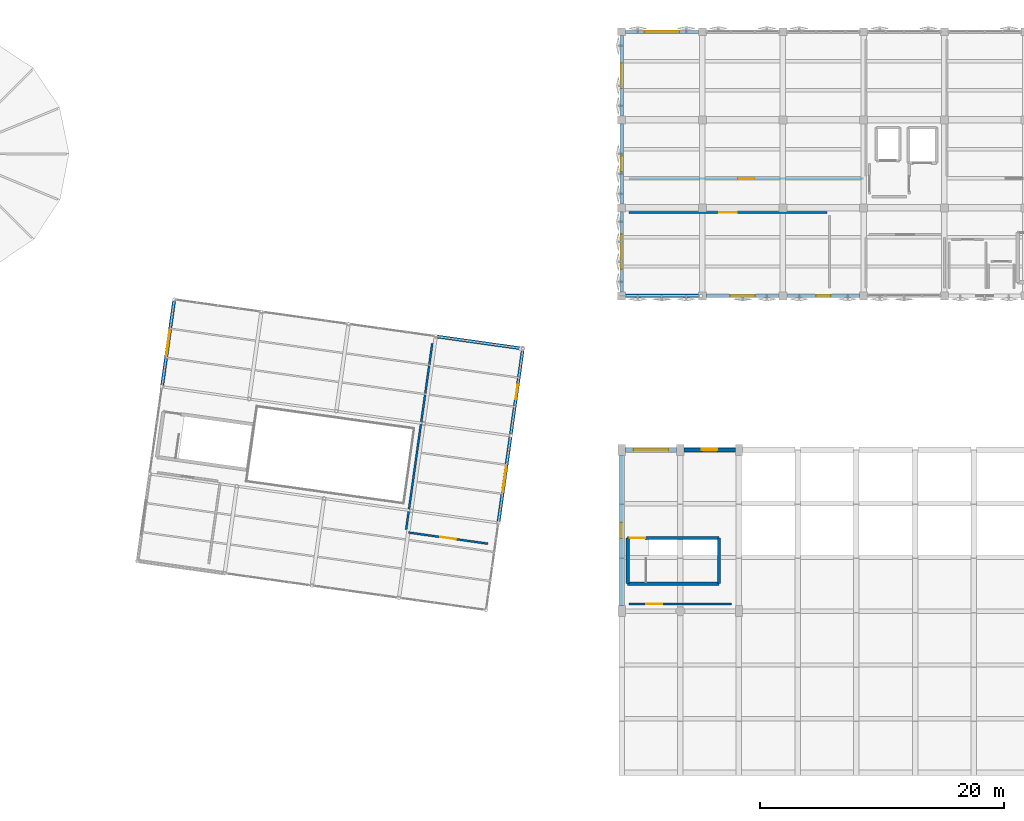
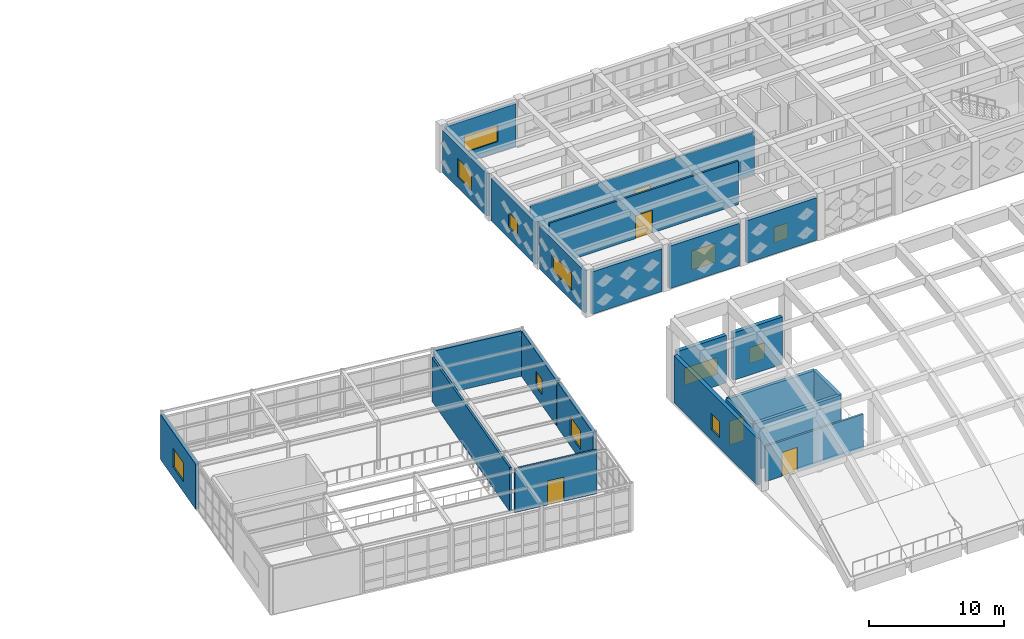
# One storey, part 58 of 67: 23 walls, 12 windows, 5 doors, 17 openings.
"""IFC4 building model written with IfcOpenShell, lengths in metres."""

from ifc_helpers import new_model, si_unit, direction, frame, frame_2d, origin, place, context, subcontext, project, spatial, rectangle, extrude, material, layer, layer_set, type_object, element, fill, save


model = new_model("IFC4")

# Units and contexts
model_context = context("Model", 3, precision=1e-05, world=origin(), true_north=direction((0.0, 1.0)))
body_context = subcontext(model_context, "Body", "Model", "MODEL_VIEW")
ifc_project = project(units=[si_unit("LENGTHUNIT", "METRE"), si_unit("AREAUNIT", "SQUARE_METRE"), si_unit("VOLUMEUNIT", "CUBIC_METRE"), si_unit("PLANEANGLEUNIT", "RADIAN"), si_unit("MASSUNIT", "GRAM", prefix="KILO")], contexts=[model_context])

# Site, building, storey
site_placement = place(None, origin())
site = spatial("IfcSite", under=ifc_project, at=site_placement, CompositionType="ELEMENT")
building_placement = place(site_placement, origin())
building = spatial("IfcBuilding", under=site, at=building_placement, Name="Kharisveld Research Institute", CompositionType="ELEMENT")
storey_placement = place(building_placement, frame((0.0, 0.0, 9.60009765625)))
storey = spatial("IfcBuildingStorey", under=building, at=storey_placement, Name="L02", CompositionType="ELEMENT", Elevation=9.60009765625)

# Wall
ifc_material_1 = material(Name="Concrete C40/50", Category="concrete")
ifc_layer_1 = layer(ifc_material_1, 0.27001953125)
ifc_layer_set_1 = layer_set([ifc_layer_1], Name="WL_CORE_270")
wall_type_1 = type_object("IfcWallType", Name="WL_CORE_270", PredefinedType="SHEAR", material=ifc_layer_set_1)
wall_1_placement = place(storey_placement, frame((115.10009765625, 15.64990234375, 0.0), z_axis=(0.0, 0.0, 1.0), x_axis=(0.0, 1.0, 0.0)))
element("IfcWall", 1, at=wall_1_placement, inside=storey, type_object=wall_type_1, Name="WL:STR:ST6:L02:W", PredefinedType="SHEAR", context=body_context, shape_type="SweptSolid", body=[
    extrude(rectangle(XDim=3.739990234375, YDim=0.27001953125, at=frame_2d((1.8701171875, 0.0))), origin(), (0.0, 0.0, 1.0), 4.27978515625),
])

# Wall, opening, door
wall_2_placement = place(storey_placement, frame((115.10009765625, 19.389892578125, 0.0), z_axis=(0.0, 0.0, 1.0), x_axis=(1.0, 0.0, 0.0)))
wall_2 = element("IfcWall", 2, at=wall_2_placement, inside=storey, type_object=wall_type_1, Name="WL:STR:ST6:L02:N", PredefinedType="SHEAR", context=body_context, shape_type="SweptSolid", body=[
    extrude(rectangle(XDim=7.469970703125, YDim=0.27001953125, at=frame_2d((3.73486328125, 0.0))), origin(), (0.0, 0.0, 1.0), 4.27978515625),
])
opening_1_placement = place(wall_2_placement, frame((0.179931640625, 0.0, 0.0)))
opening_1 = element("IfcOpeningElement", 3, at=opening_1_placement, cuts=wall_2, Name="Opening DS-048", PredefinedType="OPENING", context=body_context, shape_type="SweptSolid", body=[
    extrude(rectangle(XDim=1.239990234375, YDim=2.14990234375, at=frame_2d((0.6201171875, 1.074951171875))), frame((0.0, 0.135009765625, 0.0), z_axis=(0.0, -1.0, 0.0), x_axis=(1.0, 0.0, 0.0)), (0.0, 0.0, 1.0), 0.27001953125),
])
ifc_material_2 = material(Name="Flush Painted Hardwood and Anodised Aluminium", Category="wood")
door_type_1 = type_object("IfcDoorType", Name="DR_FD60_124", OperationType="NOTDEFINED", PredefinedType="DOOR", material=ifc_material_2)
door_1_placement = place(opening_1_placement, origin())
door_1 = element("IfcDoor", 4, at=door_1_placement, inside=storey, type_object=door_type_1, Name="DR:STR:ST6:L02", OperationType="SINGLE_SWING_LEFT", OverallHeight=2.14990234375, OverallWidth=1.239990234375, PredefinedType="DOOR", context=body_context, shape_type="SweptSolid", body=[
    extrude(rectangle(XDim=1.239990234375, YDim=2.14990234375, at=frame_2d((0.6201171875, 1.074951171875))), frame((0.0, 0.02490234375, 0.0), z_axis=(0.0, -1.0, 0.0), x_axis=(1.0, 0.0, 0.0)), (0.0, 0.0, 1.0), 0.050048828125),
])
fill(opening_1, door_1)

# Walls
wall_3_placement = place(storey_placement, frame((122.570068359375, 19.389892578125, 0.0), z_axis=(0.0, 0.0, 1.0), x_axis=(0.0, -1.0, 0.0)))
element("IfcWall", 5, at=wall_3_placement, inside=storey, type_object=wall_type_1, Name="WL:STR:ST6:L02:E", PredefinedType="SHEAR", context=body_context, shape_type="SweptSolid", body=[
    extrude(rectangle(XDim=3.739990234375, YDim=0.27001953125, at=frame_2d((1.8701171875, 0.0))), origin(), (0.0, 0.0, 1.0), 4.27978515625),
])
wall_4_placement = place(storey_placement, frame((122.570068359375, 15.64990234375, 0.0), z_axis=(0.0, 0.0, 1.0), x_axis=(-1.0, 0.0, 0.0)))
element("IfcWall", 6, at=wall_4_placement, inside=storey, type_object=wall_type_1, Name="WL:STR:ST6:L02:S", PredefinedType="SHEAR", context=body_context, shape_type="SweptSolid", body=[
    extrude(rectangle(XDim=7.469970703125, YDim=0.27001953125, at=frame_2d((3.73486328125, 0.0))), origin(), (0.0, 0.0, 1.0), 4.27978515625),
])

# Wall, opening, window
ifc_material_3 = material(Name="Lightweight Acoustic Spandrel", Category="mineral")
ifc_layer_2 = layer(ifc_material_3, 0.2451171875)
ifc_layer_set_2 = layer_set([ifc_layer_2], Name="WL_EXT_245")
wall_type_2 = type_object("IfcWallType", Name="WL_EXT_245", PredefinedType="STANDARD", material=ifc_layer_set_2)
wall_5_placement = place(storey_placement, frame((114.60009765625, 39.52001953125, 0.0), z_axis=(0.0, 0.0, 1.0), x_axis=(0.0, 1.0, 0.0)))
wall_5 = element("IfcWall", 7, at=wall_5_placement, inside=storey, type_object=wall_type_2, Name="WL:V2:L02:W0", PredefinedType="STANDARD", context=body_context, shape_type="SweptSolid", body=[
    extrude(rectangle(XDim=6.56005859375, YDim=0.2451171875, at=frame_2d((3.280029296875, 0.0))), origin(), (0.0, 0.0, 1.0), 3.8349609375),
])
opening_2_placement = place(wall_5_placement, frame((1.85498046875, 0.0, 0.949951171875)))
opening_2 = element("IfcOpeningElement", 8, at=opening_2_placement, cuts=wall_5, Name="Opening WN-18", PredefinedType="OPENING", context=body_context, shape_type="SweptSolid", body=[
    extrude(rectangle(XDim=2.85009765625, YDim=1.5, at=frame_2d((1.425048828125, 0.75))), frame((0.0, 0.12255859375, 0.0), z_axis=(0.0, -1.0, 0.0), x_axis=(1.0, 0.0, 0.0)), (0.0, 0.0, 1.0), 0.2451171875),
])
ifc_material_4 = material(Name="Low-E Double Glazing", Category="glass")
window_type_1 = type_object("IfcWindowType", Name="WN_18", PartitioningType="TRIPLE_PANEL_VERTICAL", PredefinedType="WINDOW", material=ifc_material_4)
window_1_placement = place(opening_2_placement, origin())
window_1 = element("IfcWindow", 9, at=window_1_placement, inside=storey, type_object=window_type_1, Name="WN:V2:L02:W0", OverallHeight=1.5, OverallWidth=2.85009765625, PartitioningType="SINGLE_PANEL", PredefinedType="WINDOW", context=body_context, shape_type="SweptSolid", body=[
    extrude(rectangle(XDim=2.85009765625, YDim=1.5, at=frame_2d((1.425048828125, 0.75))), frame((0.0, 0.030029296875, 0.0), z_axis=(0.0, -1.0, 0.0), x_axis=(1.0, 0.0, 0.0)), (0.0, 0.0, 1.0), 0.06005859375),
])
fill(opening_2, window_1)

wall_6_placement = place(storey_placement, frame((114.919921875, 60.800048828125, 0.0), z_axis=(0.0, 0.0, 1.0), x_axis=(1.0, 0.0, 0.0)))
wall_6 = element("IfcWall", 10, at=wall_6_placement, inside=storey, type_object=wall_type_2, Name="WL:V2:L02:N0", PredefinedType="STANDARD", context=body_context, shape_type="SweptSolid", body=[
    extrude(rectangle(XDim=5.9599609375, YDim=0.2451171875, at=frame_2d((2.97998046875, 0.0))), origin(), (0.0, 0.0, 1.0), 3.8349609375),
])
opening_3_placement = place(wall_6_placement, frame((1.554931640625, 0.0, 0.949951171875)))
opening_3 = element("IfcOpeningElement", 11, at=opening_3_placement, cuts=wall_6, Name="Opening WN-18", PredefinedType="OPENING", context=body_context, shape_type="SweptSolid", body=[
    extrude(rectangle(XDim=2.85009765625, YDim=1.5, at=frame_2d((1.425048828125, 0.75))), frame((0.0, 0.12255859375, 0.0), z_axis=(0.0, -1.0, 0.0), x_axis=(1.0, 0.0, 0.0)), (0.0, 0.0, 1.0), 0.2451171875),
])
window_2_placement = place(opening_3_placement, origin())
window_2 = element("IfcWindow", 12, at=window_2_placement, inside=storey, type_object=window_type_1, Name="WN:V2:L02:N0", OverallHeight=1.5, OverallWidth=2.85009765625, PartitioningType="SINGLE_PANEL", PredefinedType="WINDOW", context=body_context, shape_type="SweptSolid", body=[
    extrude(rectangle(XDim=2.85009765625, YDim=1.5, at=frame_2d((1.425048828125, 0.75))), frame((0.0, 0.030029296875, 0.0), z_axis=(0.0, -1.0, 0.0), x_axis=(1.0, 0.0, 0.0)), (0.0, 0.0, 1.0), 0.06005859375),
])
fill(opening_3, window_2)

# Wall
ifc_material_5 = material(Name="Precast Concrete C40/50 Thermal Wall", Category="concrete")
ifc_layer_3 = layer(ifc_material_5, 0.260009765625)
ifc_layer_set_3 = layer_set([ifc_layer_3], Name="WL_EXT_260")
wall_type_3 = type_object("IfcWallType", Name="WL_EXT_260", PredefinedType="STANDARD", material=ifc_layer_set_3)
wall_7_placement = place(storey_placement, frame((99.526123046875, 35.865234375, 0.0), z_axis=(0.0, 0.0, 1.0), x_axis=(0.990270678063, -0.139154533409, 0.0)))
element("IfcWall", 13, at=wall_7_placement, inside=storey, type_object=wall_type_3, Name="WL:V4:L02:N3", PredefinedType="STANDARD", context=body_context, shape_type="SweptSolid", body=[
    extrude(rectangle(XDim=6.93701171875, YDim=0.260009765625, at=frame_2d((3.468505859375, 0.0))), origin(), (0.0, 0.0, 1.0), 4.08984375),
])

# Wall, opening, window
wall_8_placement = place(storey_placement, frame((106.507568359375, 34.75146484375, 0.0), z_axis=(0.0, 0.0, 1.0), x_axis=(-0.139189045029, -0.990265827818, 0.0)))
wall_8 = element("IfcWall", 14, at=wall_8_placement, inside=storey, type_object=wall_type_3, Name="WL:V4:L02:E3", PredefinedType="STANDARD", context=body_context, shape_type="SweptSolid", body=[
    extrude(rectangle(XDim=6.937255859375, YDim=0.260009765625, at=frame_2d((3.46875, 0.0))), origin(), (0.0, 0.0, 1.0), 4.08984375),
])
opening_4_placement = place(wall_8_placement, frame((2.87353515625, 0.0, 0.949951171875)))
opening_4 = element("IfcOpeningElement", 15, at=opening_4_placement, cuts=wall_8, Name="Opening WN-21", PredefinedType="OPENING", context=body_context, shape_type="SweptSolid", body=[
    extrude(rectangle(XDim=1.18994140625, YDim=1.3798828125, at=frame_2d((0.594970703125, 0.68994140625))), frame((0.0, 0.1298828125, 0.0), z_axis=(0.0, -1.0, 0.0), x_axis=(1.0, 0.0, 0.0)), (0.0, 0.0, 1.0), 0.260009765625),
])
ifc_material_6 = material(Name="Low-E Double Glazing", Category="glass")
window_type_2 = type_object("IfcWindowType", Name="WN_21", PartitioningType="DOUBLE_PANEL_VERTICAL", PredefinedType="WINDOW", material=ifc_material_6)
window_3_placement = place(opening_4_placement, origin())
window_3 = element("IfcWindow", 16, at=window_3_placement, inside=storey, type_object=window_type_2, Name="WN:V4:L02:E3", OverallHeight=1.3798828125, OverallWidth=1.18994140625, PartitioningType="SINGLE_PANEL", PredefinedType="WINDOW", context=body_context, shape_type="SweptSolid", body=[
    extrude(rectangle(XDim=1.18994140625, YDim=1.3798828125, at=frame_2d((0.594970703125, 0.68994140625))), frame((0.0, 0.030029296875, 0.0), z_axis=(0.0, -1.0, 0.0), x_axis=(1.0, 0.0, 0.0)), (0.0, 0.0, 1.0), 0.06005859375),
])
fill(opening_4, window_3)

ifc_material_7 = material(Name="Precast Concrete C40/50 Thermal Wall", Category="concrete")
ifc_layer_4 = layer(ifc_material_7, 0.27490234375)
ifc_layer_set_4 = layer_set([ifc_layer_4], Name="WL_EXT_275")
wall_type_4 = type_object("IfcWallType", Name="WL_EXT_275", PredefinedType="STANDARD", material=ifc_layer_set_4)
wall_9_placement = place(storey_placement, frame((114.60009765625, 53.919921875, 0.0), z_axis=(0.0, 0.0, 1.0), x_axis=(0.0, 1.0, 0.0)))
wall_9 = element("IfcWall", 17, at=wall_9_placement, inside=storey, type_object=wall_type_4, Name="WL:V2:L02:W2", PredefinedType="STANDARD", context=body_context, shape_type="SweptSolid", body=[
    extrude(rectangle(XDim=6.56005859375, YDim=0.27490234375, at=frame_2d((3.280029296875, 0.0))), origin(), (0.0, 0.0, 1.0), 3.8349609375),
])
opening_5_placement = place(wall_9_placement, frame((2.2548828125, 0.0, 0.949951171875)))
opening_5 = element("IfcOpeningElement", 18, at=opening_5_placement, cuts=wall_9, Name="Opening WN-20", PredefinedType="OPENING", context=body_context, shape_type="SweptSolid", body=[
    extrude(rectangle(XDim=2.050048828125, YDim=1.699951171875, at=frame_2d((1.02490234375, 0.85009765625))), frame((0.0, 0.137451171875, 0.0), z_axis=(0.0, -1.0, 0.0), x_axis=(1.0, 0.0, 0.0)), (0.0, 0.0, 1.0), 0.27490234375),
])
ifc_material_8 = material(Name="Low-E Double Glazing", Category="glass")
window_type_3 = type_object("IfcWindowType", Name="WN_20", PartitioningType="DOUBLE_PANEL_VERTICAL", PredefinedType="WINDOW", material=ifc_material_8)
window_4_placement = place(opening_5_placement, origin())
window_4 = element("IfcWindow", 19, at=window_4_placement, inside=storey, type_object=window_type_3, Name="WN:V2:L02:W2", OverallHeight=1.699951171875, OverallWidth=2.050048828125, PartitioningType="SINGLE_PANEL", PredefinedType="WINDOW", context=body_context, shape_type="SweptSolid", body=[
    extrude(rectangle(XDim=2.050048828125, YDim=1.699951171875, at=frame_2d((1.02490234375, 0.85009765625))), frame((0.0, 0.030029296875, 0.0), z_axis=(0.0, -1.0, 0.0), x_axis=(1.0, 0.0, 0.0)), (0.0, 0.0, 1.0), 0.06005859375),
])
fill(opening_5, window_4)

wall_10_placement = place(storey_placement, frame((77.0224609375, 31.89013671875, 0.0), z_axis=(0.0, 0.0, 1.0), x_axis=(0.139159383244, 0.990269996544, 0.0)))
wall_10 = element("IfcWall", 20, at=wall_10_placement, inside=storey, type_object=wall_type_4, Name="WL:V4:L02:W2", PredefinedType="STANDARD", context=body_context, shape_type="SweptSolid", body=[
    extrude(rectangle(XDim=6.936767578125, YDim=0.27490234375, at=frame_2d((3.46826171875, 0.0))), origin(), (0.0, 0.0, 1.0), 4.08984375),
])
opening_6_placement = place(wall_10_placement, frame((2.443603515625, 0.0, 0.949951171875)))
opening_6 = element("IfcOpeningElement", 21, at=opening_6_placement, cuts=wall_10, Name="Opening WN-20", PredefinedType="OPENING", context=body_context, shape_type="SweptSolid", body=[
    extrude(rectangle(XDim=2.050048828125, YDim=1.699951171875, at=frame_2d((1.02490234375, 0.85009765625))), frame((0.0, 0.137451171875, 0.0), z_axis=(0.0, -1.0, 0.0), x_axis=(1.0, 0.0, 0.0)), (0.0, 0.0, 1.0), 0.27490234375),
])
window_5_placement = place(opening_6_placement, origin())
window_5 = element("IfcWindow", 22, at=window_5_placement, inside=storey, type_object=window_type_3, Name="WN:V4:L02:W2", OverallHeight=1.699951171875, OverallWidth=2.050048828125, PartitioningType="SINGLE_PANEL", PredefinedType="WINDOW", context=body_context, shape_type="SweptSolid", body=[
    extrude(rectangle(XDim=2.050048828125, YDim=1.699951171875, at=frame_2d((1.02490234375, 0.85009765625))), frame((0.0, 0.030029296875, 0.0), z_axis=(0.0, -1.0, 0.0), x_axis=(1.0, 0.0, 0.0)), (0.0, 0.0, 1.0), 0.06005859375),
])
fill(opening_6, window_5)

wall_11_placement = place(storey_placement, frame((105.505615234375, 27.621337890625, 0.0), z_axis=(0.0, 0.0, 1.0), x_axis=(-0.139193896019, -0.990265145964, 0.0)))
wall_11 = element("IfcWall", 23, at=wall_11_placement, inside=storey, type_object=wall_type_4, Name="WL:V4:L02:E2", PredefinedType="STANDARD", context=body_context, shape_type="SweptSolid", body=[
    extrude(rectangle(XDim=6.93701171875, YDim=0.27490234375, at=frame_2d((3.468505859375, 0.0))), origin(), (0.0, 0.0, 1.0), 4.08984375),
])
opening_7_placement = place(wall_11_placement, frame((2.443603515625, 0.0, 0.949951171875)))
opening_7 = element("IfcOpeningElement", 24, at=opening_7_placement, cuts=wall_11, Name="Opening WN-20", PredefinedType="OPENING", context=body_context, shape_type="SweptSolid", body=[
    extrude(rectangle(XDim=2.050048828125, YDim=1.699951171875, at=frame_2d((1.02490234375, 0.85009765625))), frame((0.0, 0.137451171875, 0.0), z_axis=(0.0, -1.0, 0.0), x_axis=(1.0, 0.0, 0.0)), (0.0, 0.0, 1.0), 0.27490234375),
])
window_6_placement = place(opening_7_placement, origin())
window_6 = element("IfcWindow", 25, at=window_6_placement, inside=storey, type_object=window_type_3, Name="WN:V4:L02:E2", OverallHeight=1.699951171875, OverallWidth=2.050048828125, PartitioningType="SINGLE_PANEL", PredefinedType="WINDOW", context=body_context, shape_type="SweptSolid", body=[
    extrude(rectangle(XDim=2.050048828125, YDim=1.699951171875, at=frame_2d((1.02490234375, 0.85009765625))), frame((0.0, 0.030029296875, 0.0), z_axis=(0.0, -1.0, 0.0), x_axis=(1.0, 0.0, 0.0)), (0.0, 0.0, 1.0), 0.06005859375),
])
fill(opening_7, window_6)

ifc_material_9 = material(Name="Precast Concrete C40/50 Thermal Wall", Category="concrete")
ifc_layer_5 = layer(ifc_material_9, 0.2900390625)
ifc_layer_set_5 = layer_set([ifc_layer_5], Name="WL_EXT_290")
wall_type_5 = type_object("IfcWallType", Name="WL_EXT_290", PredefinedType="STANDARD", material=ifc_layer_set_5)
wall_12_placement = place(storey_placement, frame((114.60009765625, 46.719970703125, 0.0), z_axis=(0.0, 0.0, 1.0), x_axis=(0.0, 1.0, 0.0)))
wall_12 = element("IfcWall", 26, at=wall_12_placement, inside=storey, type_object=wall_type_5, Name="WL:V2:L02:W1", PredefinedType="STANDARD", context=body_context, shape_type="SweptSolid", body=[
    extrude(rectangle(XDim=6.56005859375, YDim=0.2900390625, at=frame_2d((3.280029296875, 0.0))), origin(), (0.0, 0.0, 1.0), 3.8349609375),
])
opening_8_placement = place(wall_12_placement, frame((2.639892578125, 0.0, 0.949951171875)))
opening_8 = element("IfcOpeningElement", 27, at=opening_8_placement, cuts=wall_12, Name="Opening WN-19", PredefinedType="OPENING", context=body_context, shape_type="SweptSolid", body=[
    extrude(rectangle(XDim=1.280029296875, YDim=1.419921875, at=frame_2d((0.64013671875, 0.7099609375))), frame((0.0, 0.14501953125, 0.0), z_axis=(0.0, -1.0, 0.0), x_axis=(1.0, 0.0, 0.0)), (0.0, 0.0, 1.0), 0.2900390625),
])
ifc_material_10 = material(Name="Low-E Double Glazing", Category="glass")
window_type_4 = type_object("IfcWindowType", Name="WN_19", PartitioningType="SINGLE_PANEL", PredefinedType="WINDOW", material=ifc_material_10)
window_7_placement = place(opening_8_placement, origin())
window_7 = element("IfcWindow", 28, at=window_7_placement, inside=storey, type_object=window_type_4, Name="WN:V2:L02:W1", OverallHeight=1.419921875, OverallWidth=1.280029296875, PartitioningType="SINGLE_PANEL", PredefinedType="WINDOW", context=body_context, shape_type="SweptSolid", body=[
    extrude(rectangle(XDim=1.280029296875, YDim=1.419921875, at=frame_2d((0.64013671875, 0.7099609375))), frame((0.0, 0.030029296875, 0.0), z_axis=(0.0, -1.0, 0.0), x_axis=(1.0, 0.0, 0.0)), (0.0, 0.0, 1.0), 0.06005859375),
])
fill(opening_8, window_7)

ifc_material_11 = material(Name="Precast Concrete C40/50 Ochre Panel", Category="concrete")
ifc_layer_6 = layer(ifc_material_11, 0.304931640625)
ifc_layer_set_6 = layer_set([ifc_layer_6], Name="WL_EXT_305")
wall_type_6 = type_object("IfcWallType", Name="WL_EXT_305", PredefinedType="STANDARD", material=ifc_layer_set_6)
wall_13_placement = place(storey_placement, frame((134.080078125, 39.199951171875, 0.0), z_axis=(0.0, 0.0, 1.0), x_axis=(-1.0, 0.0, 0.0)))
wall_13 = element("IfcWall", 29, at=wall_13_placement, inside=storey, type_object=wall_type_6, Name="WL:V2:L02:S3", PredefinedType="STANDARD", context=body_context, shape_type="SweptSolid", body=[
    extrude(rectangle(XDim=5.9599609375, YDim=0.304931640625, at=frame_2d((2.97998046875, 0.0))), origin(), (0.0, 0.0, 1.0), 3.8349609375),
])
opening_9_placement = place(wall_13_placement, frame((2.385009765625, 0.0, 0.949951171875)))
opening_9 = element("IfcOpeningElement", 30, at=opening_9_placement, cuts=wall_13, Name="Opening WN-21", PredefinedType="OPENING", context=body_context, shape_type="SweptSolid", body=[
    extrude(rectangle(XDim=1.18994140625, YDim=1.3798828125, at=frame_2d((0.594970703125, 0.68994140625))), frame((0.0, 0.15234375, 0.0), z_axis=(0.0, -1.0, 0.0), x_axis=(1.0, 0.0, 0.0)), (0.0, 0.0, 1.0), 0.304931640625),
])
window_8_placement = place(opening_9_placement, origin())
window_8 = element("IfcWindow", 31, at=window_8_placement, inside=storey, type_object=window_type_2, Name="WN:V2:L02:S3", OverallHeight=1.3798828125, OverallWidth=1.18994140625, PartitioningType="SINGLE_PANEL", PredefinedType="WINDOW", context=body_context, shape_type="SweptSolid", body=[
    extrude(rectangle(XDim=1.18994140625, YDim=1.3798828125, at=frame_2d((0.594970703125, 0.68994140625))), frame((0.0, 0.030029296875, 0.0), z_axis=(0.0, -1.0, 0.0), x_axis=(1.0, 0.0, 0.0)), (0.0, 0.0, 1.0), 0.06005859375),
])
fill(opening_9, window_8)

wall_14_placement = place(storey_placement, frame((127.47998046875, 39.199951171875, 0.0), z_axis=(0.0, 0.0, 1.0), x_axis=(-1.0, 0.0, 0.0)))
wall_14 = element("IfcWall", 32, at=wall_14_placement, inside=storey, type_object=wall_type_6, Name="WL:V2:L02:S2", PredefinedType="STANDARD", context=body_context, shape_type="SweptSolid", body=[
    extrude(rectangle(XDim=5.9599609375, YDim=0.304931640625, at=frame_2d((2.97998046875, 0.0))), origin(), (0.0, 0.0, 1.0), 3.8349609375),
])
opening_10_placement = place(wall_14_placement, frame((1.955078125, 0.0, 0.949951171875)))
opening_10 = element("IfcOpeningElement", 33, at=opening_10_placement, cuts=wall_14, Name="Opening WN-20", PredefinedType="OPENING", context=body_context, shape_type="SweptSolid", body=[
    extrude(rectangle(XDim=2.050048828125, YDim=1.699951171875, at=frame_2d((1.02490234375, 0.85009765625))), frame((0.0, 0.15234375, 0.0), z_axis=(0.0, -1.0, 0.0), x_axis=(1.0, 0.0, 0.0)), (0.0, 0.0, 1.0), 0.304931640625),
])
window_9_placement = place(opening_10_placement, origin())
window_9 = element("IfcWindow", 34, at=window_9_placement, inside=storey, type_object=window_type_3, Name="WN:V2:L02:S2", OverallHeight=1.699951171875, OverallWidth=2.050048828125, PartitioningType="SINGLE_PANEL", PredefinedType="WINDOW", context=body_context, shape_type="SweptSolid", body=[
    extrude(rectangle(XDim=2.050048828125, YDim=1.699951171875, at=frame_2d((1.02490234375, 0.85009765625))), frame((0.0, 0.030029296875, 0.0), z_axis=(0.0, -1.0, 0.0), x_axis=(1.0, 0.0, 0.0)), (0.0, 0.0, 1.0), 0.06005859375),
])
fill(opening_10, window_9)

# Wall
wall_15_placement = place(storey_placement, frame((120.8798828125, 39.199951171875, 0.0), z_axis=(0.0, 0.0, 1.0), x_axis=(-1.0, 0.0, 0.0)))
element("IfcWall", 35, at=wall_15_placement, inside=storey, type_object=wall_type_6, Name="WL:V2:L02:S1", PredefinedType="STANDARD", context=body_context, shape_type="SweptSolid", body=[
    extrude(rectangle(XDim=5.9599609375, YDim=0.304931640625, at=frame_2d((2.97998046875, 0.0))), origin(), (0.0, 0.0, 1.0), 3.8349609375),
])

# Wall, opening, window
ifc_material_12 = material(Name="Precast Concrete C40/50 Ochre Panel", Category="concrete")
ifc_layer_7 = layer(ifc_material_12, 0.320068359375)
ifc_layer_set_7 = layer_set([ifc_layer_7], Name="WL_EXT_320")
wall_type_7 = type_object("IfcWallType", Name="WL_EXT_320", PredefinedType="SOLIDWALL", material=ifc_layer_set_7)
wall_16_placement = place(storey_placement, frame((114.60009765625, 13.844970703125, 0.0), z_axis=(0.0, 0.0, 1.0), x_axis=(0.0, 1.0, 0.0)))
wall_16 = element("IfcWall", 36, at=wall_16_placement, inside=storey, type_object=wall_type_7, Name="WL:V5:L02:W1", PredefinedType="SOLIDWALL", context=body_context, shape_type="SweptSolid", body=[
    extrude(rectangle(XDim=12.31005859375, YDim=0.320068359375, at=frame_2d((6.155029296875, 0.0))), origin(), (0.0, 0.0, 1.0), 4.27978515625),
])
opening_11_placement = place(wall_16_placement, frame((5.514892578125, 0.0, 0.949951171875)))
opening_11 = element("IfcOpeningElement", 37, at=opening_11_placement, cuts=wall_16, Name="Opening WN-19", PredefinedType="OPENING", context=body_context, shape_type="SweptSolid", body=[
    extrude(rectangle(XDim=1.280029296875, YDim=1.419921875, at=frame_2d((0.64013671875, 0.7099609375))), frame((0.0, 0.16015625, 0.0), z_axis=(0.0, -1.0, 0.0), x_axis=(1.0, 0.0, 0.0)), (0.0, 0.0, 1.0), 0.320068359375),
])
window_10_placement = place(opening_11_placement, origin())
window_10 = element("IfcWindow", 38, at=window_10_placement, inside=storey, type_object=window_type_4, Name="WN:V5:L02:W1", OverallHeight=1.419921875, OverallWidth=1.280029296875, PartitioningType="SINGLE_PANEL", PredefinedType="WINDOW", context=body_context, shape_type="SweptSolid", body=[
    extrude(rectangle(XDim=1.280029296875, YDim=1.419921875, at=frame_2d((0.64013671875, 0.7099609375))), frame((0.0, 0.030029296875, 0.0), z_axis=(0.0, -1.0, 0.0), x_axis=(1.0, 0.0, 0.0)), (0.0, 0.0, 1.0), 0.06005859375),
])
fill(opening_11, window_10)

wall_17_placement = place(storey_placement, frame((114.89501953125, 26.60009765625, 0.0), z_axis=(0.0, 0.0, 1.0), x_axis=(1.0, 0.0, 0.0)))
wall_17 = element("IfcWall", 39, at=wall_17_placement, inside=storey, type_object=wall_type_7, Name="WL:V5:L02:N0", PredefinedType="SOLIDWALL", context=body_context, shape_type="SweptSolid", body=[
    extrude(rectangle(XDim=4.2099609375, YDim=0.320068359375, at=frame_2d((2.10498046875, 0.0))), origin(), (0.0, 0.0, 1.0), 4.27978515625),
])
opening_12_placement = place(wall_17_placement, frame((0.679931640625, 0.0, 0.949951171875)))
opening_12 = element("IfcOpeningElement", 40, at=opening_12_placement, cuts=wall_17, Name="Opening WN-18", PredefinedType="OPENING", context=body_context, shape_type="SweptSolid", body=[
    extrude(rectangle(XDim=2.85009765625, YDim=1.5, at=frame_2d((1.425048828125, 0.75))), frame((0.0, 0.16015625, 0.0), z_axis=(0.0, -1.0, 0.0), x_axis=(1.0, 0.0, 0.0)), (0.0, 0.0, 1.0), 0.320068359375),
])
window_11_placement = place(opening_12_placement, origin())
window_11 = element("IfcWindow", 41, at=window_11_placement, inside=storey, type_object=window_type_1, Name="WN:V5:L02:N0", OverallHeight=1.5, OverallWidth=2.85009765625, PartitioningType="SINGLE_PANEL", PredefinedType="WINDOW", context=body_context, shape_type="SweptSolid", body=[
    extrude(rectangle(XDim=2.85009765625, YDim=1.5, at=frame_2d((1.425048828125, 0.75))), frame((0.0, 0.030029296875, 0.0), z_axis=(0.0, -1.0, 0.0), x_axis=(1.0, 0.0, 0.0)), (0.0, 0.0, 1.0), 0.06005859375),
])
fill(opening_12, window_11)

wall_18_placement = place(storey_placement, frame((119.695068359375, 26.60009765625, 0.0), z_axis=(0.0, 0.0, 1.0), x_axis=(1.0, 0.0, 0.0)))
wall_18 = element("IfcWall", 42, at=wall_18_placement, inside=storey, type_object=wall_type_7, Name="WL:V5:L02:N1", PredefinedType="SOLIDWALL", context=body_context, shape_type="SweptSolid", body=[
    extrude(rectangle(XDim=4.2099609375, YDim=0.320068359375, at=frame_2d((2.10498046875, 0.0))), origin(), (0.0, 0.0, 1.0), 4.27978515625),
])
opening_13_placement = place(wall_18_placement, frame((1.465087890625, 0.0, 0.949951171875)))
opening_13 = element("IfcOpeningElement", 43, at=opening_13_placement, cuts=wall_18, Name="Opening WN-19", PredefinedType="OPENING", context=body_context, shape_type="SweptSolid", body=[
    extrude(rectangle(XDim=1.280029296875, YDim=1.419921875, at=frame_2d((0.64013671875, 0.7099609375))), frame((0.0, 0.16015625, 0.0), z_axis=(0.0, -1.0, 0.0), x_axis=(1.0, 0.0, 0.0)), (0.0, 0.0, 1.0), 0.320068359375),
])
window_12_placement = place(opening_13_placement, origin())
window_12 = element("IfcWindow", 44, at=window_12_placement, inside=storey, type_object=window_type_4, Name="WN:V5:L02:N1", OverallHeight=1.419921875, OverallWidth=1.280029296875, PartitioningType="SINGLE_PANEL", PredefinedType="WINDOW", context=body_context, shape_type="SweptSolid", body=[
    extrude(rectangle(XDim=1.280029296875, YDim=1.419921875, at=frame_2d((0.64013671875, 0.7099609375))), frame((0.0, 0.030029296875, 0.0), z_axis=(0.0, -1.0, 0.0), x_axis=(1.0, 0.0, 0.0)), (0.0, 0.0, 1.0), 0.06005859375),
])
fill(opening_13, window_12)

# Wall, opening, door
ifc_material_13 = material(Name="Acoustic Drywall Partition", Category="mineral")
ifc_layer_8 = layer(ifc_material_13, 0.1650390625)
ifc_layer_set_8 = layer_set([ifc_layer_8], Name="WL_LAB_165")
wall_type_8 = type_object("IfcWallType", Name="WL_LAB_165", PredefinedType="PARTITIONING", material=ifc_layer_set_8)
wall_19_placement = place(storey_placement, frame((115.219970703125, 48.800048828125, 0.0), z_axis=(0.0, 0.0, 1.0), x_axis=(1.0, 0.0, 0.0)))
wall_19 = element("IfcWall", 45, at=wall_19_placement, inside=storey, type_object=wall_type_8, Name="WL:RM:V2:L02:WLA:S", PredefinedType="PARTITIONING", context=body_context, shape_type="SweptSolid", body=[
    extrude(rectangle(XDim=19.159912109375, YDim=0.1650390625, at=frame_2d((9.580078125, 0.0))), origin(), (0.0, 0.0, 1.0), 3.8349609375),
])
opening_14_placement = place(wall_19_placement, frame((8.9150390625, 0.0, 0.0)))
opening_14 = element("IfcOpeningElement", 46, at=opening_14_placement, cuts=wall_19, Name="Opening DI-207", PredefinedType="OPENING", context=body_context, shape_type="SweptSolid", body=[
    extrude(rectangle(XDim=1.330078125, YDim=2.1201171875, at=frame_2d((0.6650390625, 1.06005859375))), frame((0.0, 0.08251953125, 0.0), z_axis=(0.0, -1.0, 0.0), x_axis=(1.0, 0.0, 0.0)), (0.0, 0.0, 1.0), 0.1650390625),
])
ifc_material_14 = material(Name="Flush Painted Hardwood and Anodised Aluminium", Category="wood")
door_type_2 = type_object("IfcDoorType", Name="DR_VAR_15", OperationType="NOTDEFINED", PredefinedType="DOOR", material=ifc_material_14)
door_2_placement = place(opening_14_placement, origin())
door_2 = element("IfcDoor", 47, at=door_2_placement, inside=storey, type_object=door_type_2, Name="DR:RM:V2:L02:WLA:S", OperationType="SINGLE_SWING_LEFT", OverallHeight=2.1201171875, OverallWidth=1.330078125, PredefinedType="DOOR", context=body_context, shape_type="SweptSolid", body=[
    extrude(rectangle(XDim=1.330078125, YDim=2.1201171875, at=frame_2d((0.6650390625, 1.06005859375))), frame((0.0, 0.02490234375, 0.0), z_axis=(0.0, -1.0, 0.0), x_axis=(1.0, 0.0, 0.0)), (0.0, 0.0, 1.0), 0.050048828125),
])
fill(opening_14, door_2)

wall_20_placement = place(storey_placement, frame((131.3798828125, 46.0, 0.0), z_axis=(0.0, 0.0, 1.0), x_axis=(-1.0, 0.0, 0.0)))
wall_20 = element("IfcWall", 48, at=wall_20_placement, inside=storey, type_object=wall_type_8, Name="WL:RM:V2:L02:WLC:N", PredefinedType="PARTITIONING", context=body_context, shape_type="SweptSolid", body=[
    extrude(rectangle(XDim=16.159912109375, YDim=0.1650390625, at=frame_2d((8.080078125, 0.0))), origin(), (0.0, 0.0, 1.0), 3.949951171875),
])
opening_15_placement = place(wall_20_placement, frame((7.3701171875, 0.0, 0.0)))
opening_15 = element("IfcOpeningElement", 49, at=opening_15_placement, cuts=wall_20, Name="Opening DI-210", PredefinedType="OPENING", context=body_context, shape_type="SweptSolid", body=[
    extrude(rectangle(XDim=1.419921875, YDim=2.06005859375, at=frame_2d((0.7099609375, 1.030029296875))), frame((0.0, 0.08251953125, 0.0), z_axis=(0.0, -1.0, 0.0), x_axis=(1.0, 0.0, 0.0)), (0.0, 0.0, 1.0), 0.1650390625),
])
ifc_material_15 = material(Name="Flush Painted Hardwood and Anodised Aluminium", Category="wood")
door_type_3 = type_object("IfcDoorType", Name="DR_VAR_18", OperationType="NOTDEFINED", PredefinedType="DOOR", material=ifc_material_15)
door_3_placement = place(opening_15_placement, origin())
door_3 = element("IfcDoor", 50, at=door_3_placement, inside=storey, type_object=door_type_3, Name="DR:RM:V2:L02:WLC:N", OperationType="SINGLE_SWING_RIGHT", OverallHeight=2.06005859375, OverallWidth=1.419921875, PredefinedType="DOOR", context=body_context, shape_type="SweptSolid", body=[
    extrude(rectangle(XDim=1.419921875, YDim=2.06005859375, at=frame_2d((0.7099609375, 1.030029296875))), frame((0.0, 0.02490234375, 0.0), z_axis=(0.0, -1.0, 0.0), x_axis=(1.0, 0.0, 0.0)), (0.0, 0.0, 1.0), 0.050048828125),
])
fill(opening_15, door_3)

wall_21_placement = place(storey_placement, frame((97.1611328125, 19.838623046875, 0.0), z_axis=(0.0, 0.0, 1.0), x_axis=(0.990265558002, -0.139190964632, 0.0)))
wall_21 = element("IfcWall", 51, at=wall_21_placement, inside=storey, type_object=wall_type_8, Name="WL:RM:V4:L02:SM4:S", PredefinedType="PARTITIONING", context=body_context, shape_type="SweptSolid", body=[
    extrude(rectangle(XDim=6.56005859375, YDim=0.1650390625, at=frame_2d((3.280029296875, 0.0))), origin(), (0.0, 0.0, 1.0), 3.949951171875),
])
opening_16_placement = place(wall_21_placement, frame((2.6298828125, 0.0, 0.0)))
opening_16 = element("IfcOpeningElement", 52, at=opening_16_placement, cuts=wall_21, Name="Opening DI-309", PredefinedType="OPENING", context=body_context, shape_type="SweptSolid", body=[
    extrude(rectangle(XDim=1.300048828125, YDim=2.179931640625, at=frame_2d((0.64990234375, 1.08984375))), frame((0.0, 0.08251953125, 0.0), z_axis=(0.0, -1.0, 0.0), x_axis=(1.0, 0.0, 0.0)), (0.0, 0.0, 1.0), 0.1650390625),
])
ifc_material_16 = material(Name="Flush Painted Hardwood and Anodised Aluminium", Category="wood")
door_type_4 = type_object("IfcDoorType", Name="DR_SEM_130", OperationType="DOUBLE_DOOR_SINGLE_SWING", PredefinedType="DOOR", material=ifc_material_16)
door_4_placement = place(opening_16_placement, origin())
door_4 = element("IfcDoor", 53, at=door_4_placement, inside=storey, type_object=door_type_4, Name="DR:RM:V4:L02:SM4:S", OperationType="DOUBLE_DOOR_SINGLE_SWING", OverallHeight=2.179931640625, OverallWidth=1.300048828125, PredefinedType="DOOR", context=body_context, shape_type="SweptSolid", body=[
    extrude(rectangle(XDim=1.300048828125, YDim=2.179931640625, at=frame_2d((0.64990234375, 1.08984375))), frame((0.0, 0.02490234375, 0.0), z_axis=(0.0, -1.0, 0.0), x_axis=(1.0, 0.0, 0.0)), (0.0, 0.0, 1.0), 0.050048828125),
])
fill(opening_16, door_4)

# Wall
wall_22_placement = place(storey_placement, frame((99.111572265625, 35.297607421875, 0.0), z_axis=(0.0, 0.0, 1.0), x_axis=(-0.139171298776, -0.99026832202, 0.0)))
element("IfcWall", 54, at=wall_22_placement, inside=storey, type_object=wall_type_8, Name="WL:RM:V4:L02:SM4:W", PredefinedType="PARTITIONING", context=body_context, shape_type="SweptSolid", body=[
    extrude(rectangle(XDim=15.360107421875, YDim=0.1650390625, at=frame_2d((7.68017578125, 0.0))), origin(), (0.0, 0.0, 1.0), 3.949951171875),
])

# Wall, opening, door
wall_23_placement = place(storey_placement, frame((123.580078125, 14.0, 0.0), z_axis=(0.0, 0.0, 1.0), x_axis=(-1.0, 0.0, 0.0)))
wall_23 = element("IfcWall", 55, at=wall_23_placement, inside=storey, type_object=wall_type_8, Name="WL:RM:V5:L02:SM5:N", PredefinedType="PARTITIONING", context=body_context, shape_type="SweptSolid", body=[
    extrude(rectangle(XDim=8.360107421875, YDim=0.1650390625, at=frame_2d((4.18017578125, 0.0))), origin(), (0.0, 0.0, 1.0), 3.199951171875),
])
opening_17_placement = place(wall_23_placement, frame((5.64794921875, 0.0, 0.0)))
opening_17 = element("IfcOpeningElement", 56, at=opening_17_placement, cuts=wall_23, Name="Opening DI-310", PredefinedType="OPENING", context=body_context, shape_type="SweptSolid", body=[
    extrude(rectangle(XDim=1.300048828125, YDim=2.179931640625, at=frame_2d((0.64990234375, 1.08984375))), frame((0.0, 0.08251953125, 0.0), z_axis=(0.0, -1.0, 0.0), x_axis=(1.0, 0.0, 0.0)), (0.0, 0.0, 1.0), 0.1650390625),
])
door_5_placement = place(opening_17_placement, origin())
door_5 = element("IfcDoor", 57, at=door_5_placement, inside=storey, type_object=door_type_4, Name="DR:RM:V5:L02:SM5:N", OperationType="DOUBLE_DOOR_SINGLE_SWING", OverallHeight=2.179931640625, OverallWidth=1.300048828125, PredefinedType="DOOR", context=body_context, shape_type="SweptSolid", body=[
    extrude(rectangle(XDim=1.300048828125, YDim=2.179931640625, at=frame_2d((0.64990234375, 1.08984375))), frame((0.0, 0.02490234375, 0.0), z_axis=(0.0, -1.0, 0.0), x_axis=(1.0, 0.0, 0.0)), (0.0, 0.0, 1.0), 0.050048828125),
])
fill(opening_17, door_5)

save(model, "model.ifc")
